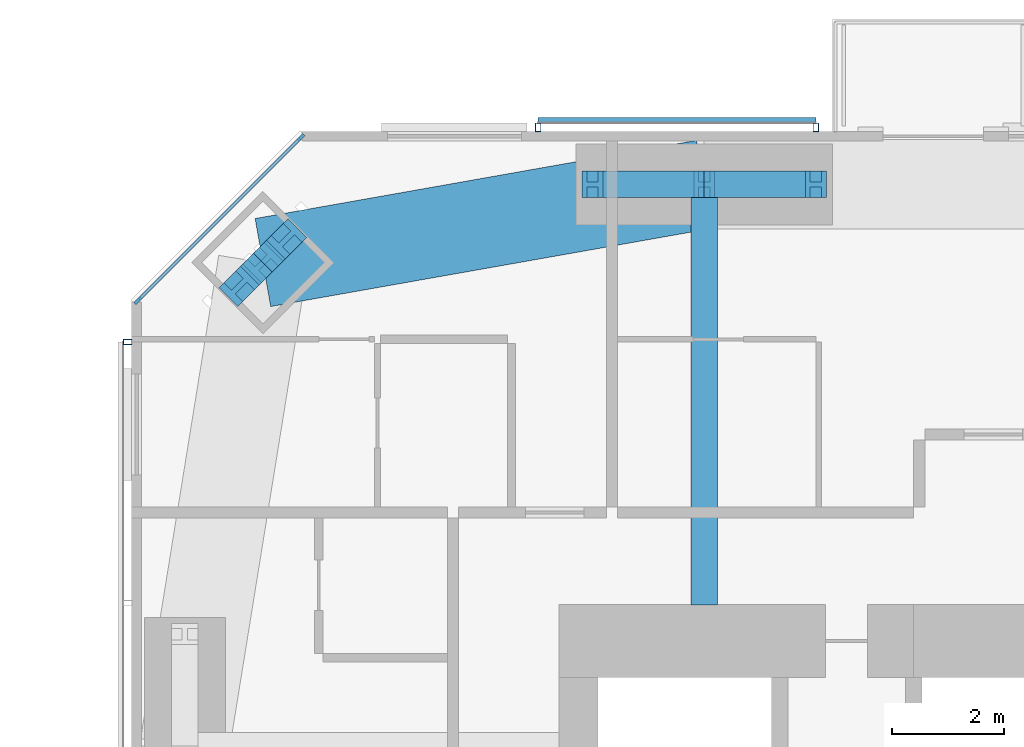
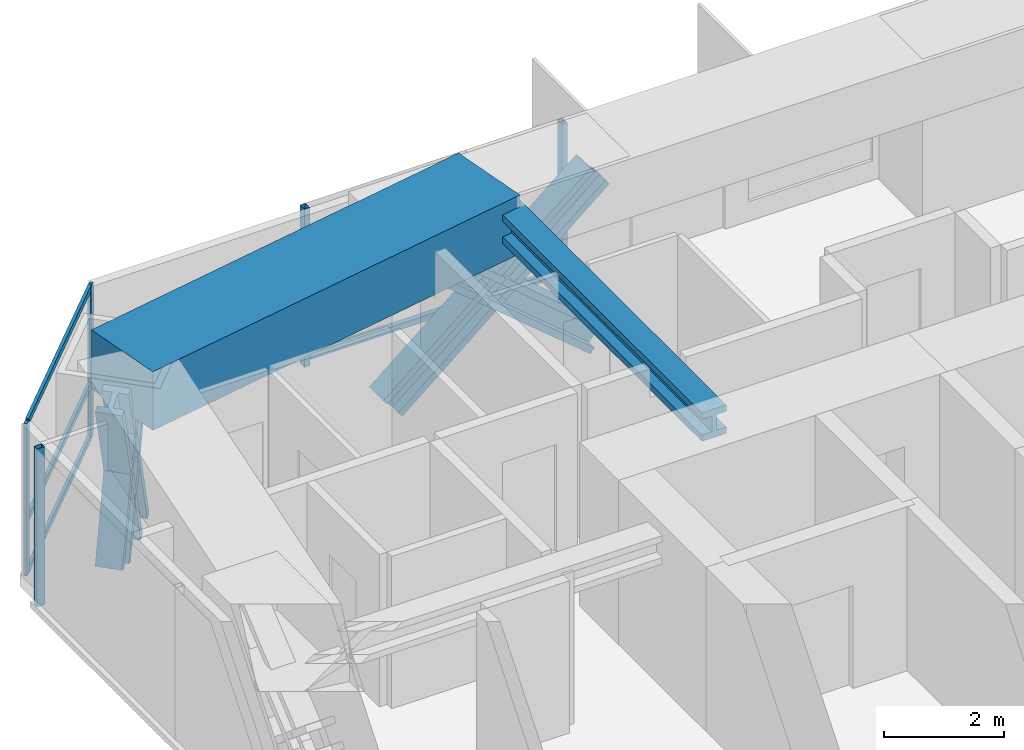
# One storey, part 10 of 23: 17 members, 2 beams, 3 elements without a shape of their own.
"""IFC4 building model written with IfcOpenShell, lengths in metres."""

from ifc_helpers import new_model, si_unit, direction, frame, origin, origin_2d, place, context, subcontext, project, spatial, rectangle, hollow_rectangle, i_section, extrude, material, material_profile, profile_set, type_object, element, aggregate, save


model = new_model("IFC4")

# Units and contexts
model_context = context("Model", 3, precision=1e-05, world=origin(), true_north=direction((0.0, 1.0)))
body_context = subcontext(model_context, "Body", "Model", "MODEL_VIEW")
ifc_project = project(units=[si_unit("LENGTHUNIT", "METRE"), si_unit("AREAUNIT", "SQUARE_METRE"), si_unit("VOLUMEUNIT", "CUBIC_METRE"), si_unit("PLANEANGLEUNIT", "RADIAN"), si_unit("MASSUNIT", "GRAM", prefix="KILO")], contexts=[model_context])

# Site, building, storey
site_placement = place(None, origin())
site = spatial("IfcSite", under=ifc_project, at=site_placement, CompositionType="ELEMENT")
building_placement = place(site_placement, origin())
building = spatial("IfcBuilding", under=site, at=building_placement, Name="Jalousie Tower", CompositionType="ELEMENT")
storey_placement = place(building_placement, frame((0.0, 0.0, 157.699951171875)))
storey = spatial("IfcBuildingStorey", under=building, at=storey_placement, Name="L42", CompositionType="ELEMENT", Elevation=157.699951171875)

# Curtain wall, members
ifc_material_1 = material(Name="Aluminium curtain wall", Category="aluminium")
curtain_wall_type_1 = type_object("IfcCurtainWallType", Name="CORNER WINDOW WALL", PredefinedType="USERDEFINED", material=ifc_material_1)
curtain_wall_1_placement = place(storey_placement, origin())
curtain_wall_1 = element("IfcCurtainWall", 1, at=curtain_wall_1_placement, inside=storey, type_object=curtain_wall_type_1, Name="Corner Window Wall L42 6", ObjectType="CORNER WINDOW WALL", PredefinedType="USERDEFINED")
ifc_material_2 = material(Name="Aluminium mullion", Category="aluminium")
ifc_material_profile_1 = material_profile(ifc_material_2, rectangle(XDim=0.06005859375, YDim=0.14990234375, at=origin_2d()), Name="MULLION 60x150")
ifc_profile_set_1 = profile_set([ifc_material_profile_1], Name="Aluminium mullion")
member_type_1 = type_object("IfcMemberType", Name="CORNER WINDOW WALL MULLION", PredefinedType="MULLION", material=ifc_profile_set_1)
member_1_placement = place(storey_placement, frame((15.030029296875, 35.891357421875, 0.0), z_axis=(0.0, 0.0, 1.0), x_axis=(0.707106781187, -0.707106781187, 0.0)))
member_1 = element("IfcMember", 2, at=member_1_placement, type_object=member_type_1, Name="CW-C mullion 1", PredefinedType="MULLION", context=body_context, shape_type="SweptSolid", body=[
    extrude(rectangle(XDim=0.06005859375, YDim=0.14990234375, at=origin_2d()), origin(), (0.0, 0.0, 1.0), 3.110107421875),
])
member_2_placement = place(storey_placement, frame((12.108642578125, 32.969970703125, 0.0), z_axis=(0.0, 0.0, 1.0), x_axis=(0.707106781187, -0.707106781187, 0.0)))
member_2 = element("IfcMember", 3, at=member_2_placement, type_object=member_type_1, Name="CW-C mullion 2", PredefinedType="MULLION", context=body_context, shape_type="SweptSolid", body=[
    extrude(rectangle(XDim=0.06005859375, YDim=0.14990234375, at=origin_2d()), origin(), (0.0, 0.0, 1.0), 3.110107421875),
])
ifc_material_3 = material(Name="Aluminium transom", Category="aluminium")
ifc_material_profile_2 = material_profile(ifc_material_3, rectangle(XDim=0.06005859375, YDim=0.1201171875, at=origin_2d()), Name="TRANSOM 60x120")
ifc_profile_set_2 = profile_set([ifc_material_profile_2], Name="Aluminium transom")
member_type_2 = type_object("IfcMemberType", Name="CORNER WINDOW WALL TRANSOM", PredefinedType="USERDEFINED", material=ifc_profile_set_2)
member_3_placement = place(storey_placement, frame((15.0087890625, 35.8701171875, 0.030029296875), z_axis=(-0.707106781187, -0.707106781187, 0.0), x_axis=(0.707106781187, -0.707106781187, 0.0)))
member_3 = element("IfcMember", 4, at=member_3_placement, type_object=member_type_2, Name="CW-C transom 1.1", ObjectType="TRANSOM", PredefinedType="USERDEFINED", context=body_context, shape_type="SweptSolid", body=[
    extrude(rectangle(XDim=0.06005859375, YDim=0.1201171875, at=origin_2d()), origin(), (0.0, 0.0, 1.0), 4.0712890625),
])
member_4_placement = place(storey_placement, frame((15.0087890625, 35.8701171875, 1.10009765625), z_axis=(-0.707106781187, -0.707106781187, 0.0), x_axis=(0.707106781187, -0.707106781187, 0.0)))
member_4 = element("IfcMember", 5, at=member_4_placement, type_object=member_type_2, Name="CW-C transom 1.2", ObjectType="TRANSOM", PredefinedType="USERDEFINED", context=body_context, shape_type="SweptSolid", body=[
    extrude(rectangle(XDim=0.06005859375, YDim=0.1201171875, at=origin_2d()), origin(), (0.0, 0.0, 1.0), 4.0712890625),
])
member_5_placement = place(storey_placement, frame((15.0087890625, 35.8701171875, 3.080078125), z_axis=(-0.707106781187, -0.707106781187, 0.0), x_axis=(0.707106781187, -0.707106781187, 0.0)))
member_5 = element("IfcMember", 6, at=member_5_placement, type_object=member_type_2, Name="CW-C transom 1.3", ObjectType="TRANSOM", PredefinedType="USERDEFINED", context=body_context, shape_type="SweptSolid", body=[
    extrude(rectangle(XDim=0.06005859375, YDim=0.1201171875, at=origin_2d()), origin(), (0.0, 0.0, 1.0), 4.0712890625),
])
aggregate(curtain_wall_1, [member_1, member_2, member_3, member_4, member_5])

# Beam
ifc_material_4 = material(Name="Steel ASTM A992 Grade 50", Category="steel")
ifc_material_profile_3 = material_profile(ifc_material_4, i_section(OverallWidth=0.472412109375, OverallDepth=0.5791015625, WebThickness=0.094970703125, FlangeThickness=0.1298828125, at=origin_2d()), Name="W14X808")
ifc_profile_set_3 = profile_set([ifc_material_profile_3], Name="Steel ASTM A992 Grade 50")
beam_type_1 = type_object("IfcBeamType", Name="LEAN COLLECTOR W14X808", PredefinedType="BEAM", material=ifc_profile_set_3)
beam_1_placement = place(storey_placement, frame((22.25, 35.050048828125, 2.820556640625), z_axis=(0.0, -1.0, 0.0), x_axis=(1.0, 0.0, 0.0)))
element("IfcBeam", 7, at=beam_1_placement, inside=storey, type_object=beam_type_1, Name="Lean collector under L43", PredefinedType="BEAM", context=body_context, shape_type="SweptSolid", body=[
    extrude(i_section(OverallWidth=0.472412109375, OverallDepth=0.5791015625, WebThickness=0.094970703125, FlangeThickness=0.1298828125, at=origin_2d()), origin(), (0.0, 0.0, 1.0), 7.525146484375),
])

# Members
ifc_material_5 = material(Name="Steel ASTM A992 Grade 50", Category="steel")
ifc_material_profile_4 = material_profile(ifc_material_5, i_section(OverallWidth=0.472412109375, OverallDepth=0.5791015625, WebThickness=0.094970703125, FlangeThickness=0.1298828125, at=origin_2d()), Name="W14X808")
ifc_profile_set_4 = profile_set([ifc_material_profile_4], Name="Steel ASTM A992 Grade 50")
member_type_3 = type_object("IfcMemberType", Name="PERIMETER BRACE W14X808", PredefinedType="BRACE", material=ifc_profile_set_4)
member_6_placement = place(storey_placement, frame((20.25, 35.050048828125, -0.599853515625), z_axis=(0.766684820047, 0.0, 0.642023665225), x_axis=(0.0, 1.0, 0.0)))
element("IfcMember", 8, at=member_6_placement, inside=storey, type_object=member_type_3, Name="Perimeter brace 11 L42 part 1", PredefinedType="BRACE", context=body_context, shape_type="SweptSolid", body=[
    extrude(i_section(OverallWidth=0.472412109375, OverallDepth=0.5791015625, WebThickness=0.094970703125, FlangeThickness=0.1298828125, at=origin_2d()), origin(), (0.0, 0.0, 1.0), 2.608642578125),
])
member_7_placement = place(storey_placement, frame((22.25, 35.050048828125, 1.074951171875), z_axis=(0.766638753323, 0.0, 0.642078672674), x_axis=(0.0, 1.0, 0.0)))
element("IfcMember", 9, at=member_7_placement, inside=storey, type_object=member_type_3, Name="Perimeter brace 11 L42 part 2", PredefinedType="BRACE", context=body_context, shape_type="SweptSolid", body=[
    extrude(i_section(OverallWidth=0.472412109375, OverallDepth=0.5791015625, WebThickness=0.094970703125, FlangeThickness=0.1298828125, at=origin_2d()), origin(), (0.0, 0.0, 1.0), 2.60888671875),
])
member_8_placement = place(storey_placement, frame((24.25, 35.050048828125, -0.599853515625), z_axis=(-0.766684820047, 0.0, 0.642023665225), x_axis=(0.0, -1.0, 0.0)))
element("IfcMember", 10, at=member_8_placement, inside=storey, type_object=member_type_3, Name="Perimeter brace 11 L42 part 3", PredefinedType="BRACE", context=body_context, shape_type="SweptSolid", body=[
    extrude(i_section(OverallWidth=0.472412109375, OverallDepth=0.5791015625, WebThickness=0.094970703125, FlangeThickness=0.1298828125, at=origin_2d()), origin(), (0.0, 0.0, 1.0), 2.608642578125),
])
member_9_placement = place(storey_placement, frame((22.25, 35.050048828125, 1.074951171875), z_axis=(-0.766638753323, 0.0, 0.642078672674), x_axis=(0.0, -1.0, 0.0)))
element("IfcMember", 11, at=member_9_placement, inside=storey, type_object=member_type_3, Name="Perimeter brace 11 L42 part 4", PredefinedType="BRACE", context=body_context, shape_type="SweptSolid", body=[
    extrude(i_section(OverallWidth=0.472412109375, OverallDepth=0.5791015625, WebThickness=0.094970703125, FlangeThickness=0.1298828125, at=origin_2d()), origin(), (0.0, 0.0, 1.0), 2.60888671875),
])
member_10_placement = place(storey_placement, frame((14.772705078125, 34.07568359375, -0.599853515625), z_axis=(-0.238513569048, -0.238376334543, 0.941428701766), x_axis=(0.706903267951, -0.707310235866, 0.0)))
element("IfcMember", 12, at=member_10_placement, inside=storey, type_object=member_type_3, Name="Perimeter brace 12 L42 part 1", PredefinedType="BRACE", context=body_context, shape_type="SweptSolid", body=[
    extrude(i_section(OverallWidth=0.472412109375, OverallDepth=0.5791015625, WebThickness=0.094970703125, FlangeThickness=0.1298828125, at=origin_2d()), origin(), (0.0, 0.0, 1.0), 1.779052734375),
])
member_11_placement = place(storey_placement, frame((14.348388671875, 33.651611328125, 1.074951171875), z_axis=(-0.238345540878, -0.238482757655, 0.941444303953), x_axis=(0.707310235866, -0.706903267951, 0.0)))
element("IfcMember", 13, at=member_11_placement, inside=storey, type_object=member_type_3, Name="Perimeter brace 12 L42 part 2", PredefinedType="BRACE", context=body_context, shape_type="SweptSolid", body=[
    extrude(i_section(OverallWidth=0.472412109375, OverallDepth=0.5791015625, WebThickness=0.094970703125, FlangeThickness=0.1298828125, at=origin_2d()), origin(), (0.0, 0.0, 1.0), 1.779296875),
])
member_12_placement = place(storey_placement, frame((13.92431640625, 33.227294921875, -0.599853515625), z_axis=(0.238376334543, 0.238513569048, 0.941428701766), x_axis=(-0.707310235866, 0.706903267951, 0.0)))
element("IfcMember", 14, at=member_12_placement, inside=storey, type_object=member_type_3, Name="Perimeter brace 12 L42 part 3", PredefinedType="BRACE", context=body_context, shape_type="SweptSolid", body=[
    extrude(i_section(OverallWidth=0.472412109375, OverallDepth=0.5791015625, WebThickness=0.094970703125, FlangeThickness=0.1298828125, at=origin_2d()), origin(), (0.0, 0.0, 1.0), 1.779052734375),
])
member_13_placement = place(storey_placement, frame((14.348388671875, 33.651611328125, 1.074951171875), z_axis=(0.238482757655, 0.238345540878, 0.941444303953), x_axis=(-0.706903267951, 0.707310235866, 0.0)))
element("IfcMember", 15, at=member_13_placement, inside=storey, type_object=member_type_3, Name="Perimeter brace 12 L42 part 4", PredefinedType="BRACE", context=body_context, shape_type="SweptSolid", body=[
    extrude(i_section(OverallWidth=0.472412109375, OverallDepth=0.5791015625, WebThickness=0.094970703125, FlangeThickness=0.1298828125, at=origin_2d()), origin(), (0.0, 0.0, 1.0), 1.779296875),
])

# Beam
ifc_material_6 = material(Name="Concrete f'c 40 MPa", Category="concrete")
ifc_material_profile_5 = material_profile(ifc_material_6, rectangle(XDim=1.60009765625, YDim=1.199951171875, at=origin_2d()), Name="RC 1600x1200")
ifc_profile_set_5 = profile_set([ifc_material_profile_5], Name="Concrete f'c 40 MPa")
beam_type_2 = type_object("IfcBeamType", Name="RC BEAM 1600x1200", PredefinedType="BEAM", material=ifc_profile_set_5)
beam_2_placement = place(storey_placement, frame((22.25, 35.050048828125, 2.75), z_axis=(-0.984697370688, -0.174273027632, 0.0), x_axis=(0.174273027632, -0.984697370688, 0.0)))
element("IfcBeam", 16, at=beam_2_placement, inside=storey, type_object=beam_type_2, Name="Edge band beam 11-12 under L43", PredefinedType="BEAM", context=body_context, shape_type="SweptSolid", body=[
    extrude(rectangle(XDim=1.60009765625, YDim=1.199951171875, at=origin_2d()), origin(), (0.0, 0.0, 1.0), 8.0244140625),
])

# Curtain wall, members
ifc_material_7 = material(Name="Perforated aluminium sheet", Category="aluminium")
curtain_wall_type_2 = type_object("IfcCurtainWallType", Name="SOLAR SCREEN SS-1", PredefinedType="USERDEFINED", material=ifc_material_7)
curtain_wall_2_placement = place(storey_placement, origin())
curtain_wall_2 = element("IfcCurtainWall", 17, at=curtain_wall_2_placement, inside=storey, type_object=curtain_wall_type_2, Name="Solar screen L42", ObjectType="SOLAR SCREEN SS-1", PredefinedType="USERDEFINED")
ifc_material_8 = material(Name="Steel ASTM A500 Grade C", Category="steel")
ifc_material_profile_6 = material_profile(ifc_material_8, hollow_rectangle(XDim=0.1015625, YDim=0.15234375, WallThickness=0.00634765625, at=origin_2d()), Name="HSS6X4X1/4")
ifc_profile_set_6 = profile_set([ifc_material_profile_6], Name="Steel ASTM A500 Grade C")
member_type_4 = type_object("IfcMemberType", Name="SOLAR SCREEN SS-1 MULLION", PredefinedType="MULLION", material=ifc_profile_set_6)
member_14_placement = place(storey_placement, frame((24.25, 36.0712890625, -0.119873046875), z_axis=(0.0, 0.0, 1.0), x_axis=(-1.0, 0.0, 0.0)))
member_14 = element("IfcMember", 18, at=member_14_placement, type_object=member_type_4, Name="SS1 post 1", PredefinedType="MULLION", context=body_context, shape_type="SweptSolid", body=[
    extrude(hollow_rectangle(XDim=0.1015625, YDim=0.15234375, WallThickness=0.00634765625, at=origin_2d()), origin(), (0.0, 0.0, 1.0), 3.22998046875),
])
member_15_placement = place(storey_placement, frame((19.275634765625, 36.0712890625, -0.119873046875), z_axis=(0.0, 0.0, 1.0), x_axis=(-1.0, 0.0, 0.0)))
member_15 = element("IfcMember", 19, at=member_15_placement, type_object=member_type_4, Name="SS1 post 2", PredefinedType="MULLION", context=body_context, shape_type="SweptSolid", body=[
    extrude(hollow_rectangle(XDim=0.1015625, YDim=0.15234375, WallThickness=0.00634765625, at=origin_2d()), origin(), (0.0, 0.0, 1.0), 3.22998046875),
])

# Curtain wall, member
curtain_wall_3_placement = place(storey_placement, origin())
curtain_wall_3 = element("IfcCurtainWall", 20, at=curtain_wall_3_placement, inside=storey, type_object=curtain_wall_type_2, Name="Solar screen L42", ObjectType="SOLAR SCREEN SS-1", PredefinedType="USERDEFINED")
member_16_placement = place(storey_placement, frame((11.9287109375, 32.228759765625, -0.119873046875), z_axis=(0.0, 0.0, 1.0), x_axis=(0.0, -1.0, 0.0)))
member_16 = element("IfcMember", 21, at=member_16_placement, type_object=member_type_4, Name="SS1 post 1", PredefinedType="MULLION", context=body_context, shape_type="SweptSolid", body=[
    extrude(hollow_rectangle(XDim=0.1015625, YDim=0.15234375, WallThickness=0.00634765625, at=origin_2d()), origin(), (0.0, 0.0, 1.0), 3.22998046875),
])
aggregate(curtain_wall_3, [member_16])

# Member
ifc_material_9 = material(Name="Extruded aluminium screen rail", Category="aluminium")
ifc_material_profile_7 = material_profile(ifc_material_9, rectangle(XDim=0.1015625, YDim=0.1201171875, at=origin_2d()), Name="RAIL 102x120")
ifc_profile_set_7 = profile_set([ifc_material_profile_7], Name="Extruded aluminium screen rail")
member_type_5 = type_object("IfcMemberType", Name="SOLAR SCREEN SS-1 TRANSOM", PredefinedType="USERDEFINED", material=ifc_profile_set_7)
member_17_placement = place(storey_placement, frame((24.25, 36.1982421875, -0.06005859375), z_axis=(-1.0, 0.0, 0.0), x_axis=(0.0, -1.0, 0.0)))
member_17 = element("IfcMember", 22, at=member_17_placement, type_object=member_type_5, Name="SS1 rail", ObjectType="TRANSOM", PredefinedType="USERDEFINED", context=body_context, shape_type="SweptSolid", body=[
    extrude(rectangle(XDim=0.1015625, YDim=0.1201171875, at=origin_2d()), origin(), (0.0, 0.0, 1.0), 4.974365234375),
])

aggregate(curtain_wall_2, [member_14, member_15, member_17])

save(model, "model.ifc")
